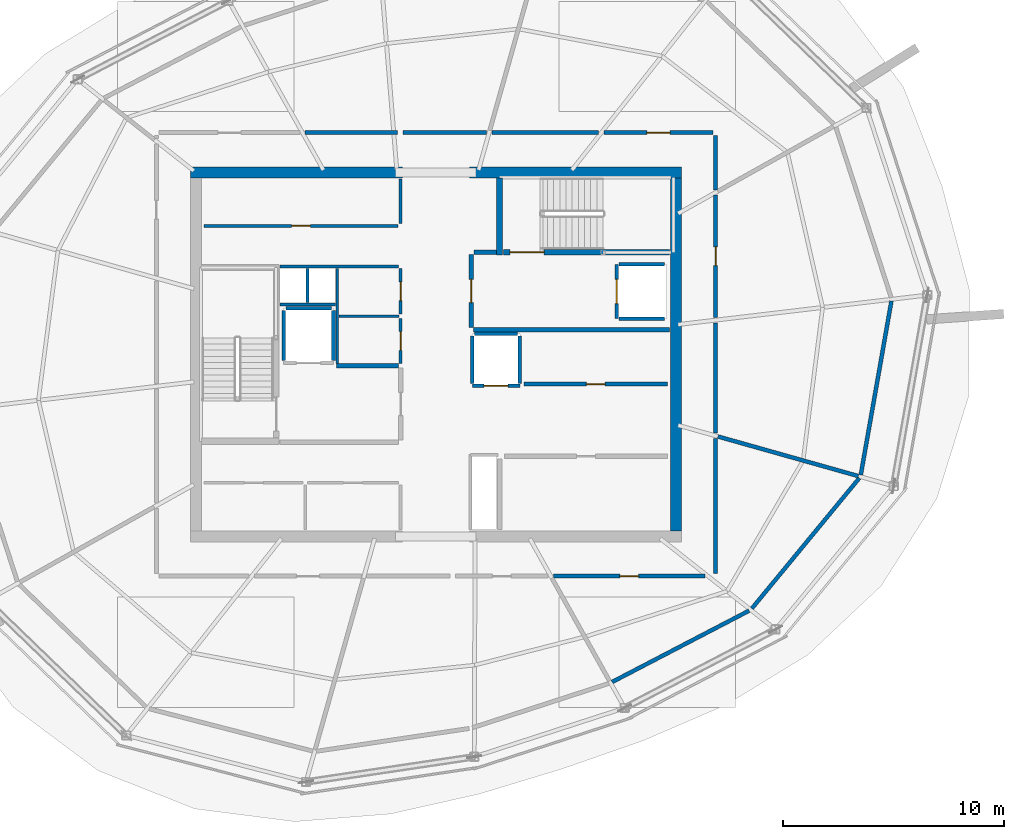
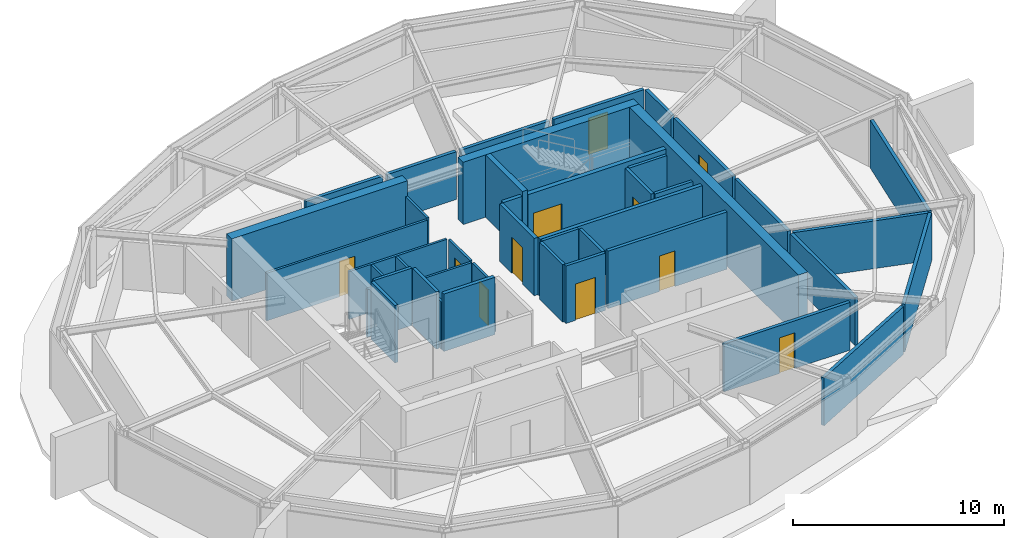
# One storey, part 8 of 10: 42 walls, 11 doors, 11 openings.
"""IFC4 building model written with IfcOpenShell, lengths in metres."""

from ifc_helpers import new_model, si_unit, direction, frame, frame_2d, origin, place, context, subcontext, project, spatial, rectangle, extrude, material, layer, layer_set, type_object, element, fill, save


model = new_model("IFC4")

# Units and contexts
model_context = context("Model", 3, precision=1e-05, world=origin(), true_north=direction((0.0, 1.0)))
body_context = subcontext(model_context, "Body", "Model", "MODEL_VIEW")
ifc_project = project(units=[si_unit("LENGTHUNIT", "METRE"), si_unit("AREAUNIT", "SQUARE_METRE"), si_unit("VOLUMEUNIT", "CUBIC_METRE"), si_unit("PLANEANGLEUNIT", "RADIAN"), si_unit("MASSUNIT", "GRAM", prefix="KILO")], contexts=[model_context])

# Site, building, storey
site_placement = place(None, origin())
site = spatial("IfcSite", under=ifc_project, at=site_placement, CompositionType="ELEMENT")
building_placement = place(site_placement, origin())
building = spatial("IfcBuilding", under=site, at=building_placement, Name="Kazma Halo Residences", CompositionType="ELEMENT")
storey_placement = place(building_placement, frame((0.0, 0.0, 356.0)))
storey = spatial("IfcBuildingStorey", under=building, at=storey_placement, Name="L89", CompositionType="ELEMENT", Elevation=356.0)

# Walls
ifc_material_1 = material(Name="Concrete C60/75", Category="concrete")
ifc_layer_1 = layer(ifc_material_1, 0.5)
ifc_layer_set_1 = layer_set([ifc_layer_1], Name="Concrete C60/75")
wall_type_1 = type_object("IfcWallType", Name="WL-CORE-500", PredefinedType="SHEAR", material=ifc_layer_set_1)
wall_1_placement = place(storey_placement, frame((37.300048828125, 50.25, 0.0), z_axis=(0.0, 0.0, 1.0), x_axis=(1.0, 0.0, 0.0)))
element("IfcWall", 1, at=wall_1_placement, inside=storey, type_object=wall_type_1, Name="L89 central core shear wall NW", PredefinedType="SHEAR", context=body_context, shape_type="SweptSolid", body=[
    extrude(rectangle(XDim=9.599853515625, YDim=0.5, at=frame_2d((4.7998046875, 0.0))), origin(), (0.0, 0.0, 1.0), 3.60009765625),
])
wall_2_placement = place(storey_placement, frame((49.949951171875, 50.25, 0.0), z_axis=(0.0, 0.0, 1.0), x_axis=(1.0, 0.0, 0.0)))
element("IfcWall", 2, at=wall_2_placement, inside=storey, type_object=wall_type_1, Name="L89 central core shear wall NE", PredefinedType="SHEAR", context=body_context, shape_type="SweptSolid", body=[
    extrude(rectangle(XDim=9.60009765625, YDim=0.5, at=frame_2d((4.800048828125, 0.0))), origin(), (0.0, 0.0, 1.0), 3.60009765625),
])
wall_3_placement = place(storey_placement, frame((59.300048828125, 34.0, 0.0), z_axis=(0.0, 0.0, 1.0), x_axis=(0.0, 1.0, 0.0)))
element("IfcWall", 3, at=wall_3_placement, inside=storey, type_object=wall_type_1, Name="L89 central core shear wall E", PredefinedType="SHEAR", context=body_context, shape_type="SweptSolid", body=[
    extrude(rectangle(XDim=16.0, YDim=0.5, at=frame_2d((8.0, 0.0))), origin(), (0.0, 0.0, 1.0), 3.60009765625),
])
ifc_layer_2 = layer(ifc_material_1, 0.280029296875)
ifc_layer_set_2 = layer_set([ifc_layer_2], Name="Concrete C60/75")
wall_type_2 = type_object("IfcWallType", Name="WL-CORE-ST-280", PredefinedType="SHEAR", material=ifc_layer_set_2)
wall_4_placement = place(storey_placement, frame((51.31005859375, 46.5, 0.0), z_axis=(0.0, 0.0, 1.0), x_axis=(0.0, 1.0, 0.0)))
element("IfcWall", 4, at=wall_4_placement, inside=storey, type_object=wall_type_2, Name="L89 stairwell bearing wall ST02-W", PredefinedType="SHEAR", context=body_context, shape_type="SweptSolid", body=[
    extrude(rectangle(XDim=3.5, YDim=0.280029296875, at=frame_2d((1.75, 0.0))), origin(), (0.0, 0.0, 1.0), 3.60009765625),
])
ifc_material_2 = material(Name="Acoustic Twin-Stud Gypsum")
ifc_layer_3 = layer(ifc_material_2, 0.179931640625)
ifc_layer_set_3 = layer_set([ifc_layer_3], Name="Acoustic Twin-Stud Gypsum")
wall_type_3 = type_object("IfcWallType", Name="WL-DEM-180", PredefinedType="PARTITIONING", material=ifc_layer_set_3)
wall_5_placement = place(storey_placement, frame((56.409912109375, 27.14697265625, 0.0), z_axis=(0.0, 0.0, 1.0), x_axis=(0.886949494865, 0.461866423935, 0.0)))
element("IfcWall", 5, at=wall_5_placement, inside=storey, type_object=wall_type_3, Name="L89 crown plant perimeter wall 12", PredefinedType="PARTITIONING", context=body_context, shape_type="SweptSolid", body=[
    extrude(rectangle(XDim=7.002197265625, YDim=0.179931640625, at=frame_2d((3.5009765625, 0.0))), origin(), (0.0, 0.0, 1.0), 2.760009765625),
])
wall_6_placement = place(storey_placement, frame((62.742431640625, 30.479736328125, 0.0), z_axis=(0.0, 0.0, 1.0), x_axis=(0.636018833443, 0.771673534278, 0.0)))
element("IfcWall", 6, at=wall_6_placement, inside=storey, type_object=wall_type_3, Name="L89 crown plant perimeter wall 13", PredefinedType="PARTITIONING", context=body_context, shape_type="SweptSolid", body=[
    extrude(rectangle(XDim=7.661376953125, YDim=0.179931640625, at=frame_2d((3.83056640625, 0.0))), origin(), (0.0, 0.0, 1.0), 2.760009765625),
])
wall_7_placement = place(storey_placement, frame((67.679931640625, 36.532470703125, 0.0), z_axis=(0.0, 0.0, 1.0), x_axis=(0.173668776466, 0.984804120666, 0.0)))
element("IfcWall", 7, at=wall_7_placement, inside=storey, type_object=wall_type_3, Name="L89 crown plant perimeter wall 14", PredefinedType="PARTITIONING", context=body_context, shape_type="SweptSolid", body=[
    extrude(rectangle(XDim=8.005859375, YDim=0.179931640625, at=frame_2d((4.0029296875, 0.0))), origin(), (0.0, 0.0, 1.0), 2.760009765625),
])
wall_8_placement = place(storey_placement, frame((61.10009765625, 49.456298828125, 0.0), z_axis=(0.0, 0.0, 1.0), x_axis=(0.0, 1.0, 0.0)))
element("IfcWall", 8, at=wall_8_placement, inside=storey, type_object=wall_type_3, Name="L89 L89 Cooling Tower Plant Room North corridor wall", PredefinedType="PARTITIONING", context=body_context, shape_type="SweptSolid", body=[
    extrude(rectangle(XDim=2.4736328125, YDim=0.179931640625, at=frame_2d((1.23681640625, 0.0))), origin(), (0.0, 0.0, 1.0), 2.760009765625),
])

# Wall, opening, door
wall_9_placement = place(storey_placement, frame((60.97998046875, 52.050048828125, 0.0), z_axis=(0.0, 0.0, 1.0), x_axis=(-1.0, 0.0, 0.0)))
wall_9 = element("IfcWall", 9, at=wall_9_placement, inside=storey, type_object=wall_type_3, Name="L89 L89 Cooling Tower Plant Room North corridor wall", PredefinedType="PARTITIONING", context=body_context, shape_type="SweptSolid", body=[
    extrude(rectangle(XDim=4.937255859375, YDim=0.179931640625, at=frame_2d((2.46875, 0.0))), origin(), (0.0, 0.0, 1.0), 2.760009765625),
])
opening_1_placement = place(wall_9_placement, frame((1.943603515625, 0.0, 0.0)))
opening_1 = element("IfcOpeningElement", 10, at=opening_1_placement, cuts=wall_9, Name="Opening DF-1050", PredefinedType="OPENING", context=body_context, shape_type="SweptSolid", body=[
    extrude(rectangle(XDim=1.050048828125, YDim=2.10009765625, at=frame_2d((0.52490234375, 1.050048828125))), frame((0.0, 0.099853515625, 0.0), z_axis=(0.0, -1.0, 0.0), x_axis=(1.0, 0.0, 0.0)), (0.0, 0.0, 1.0), 0.199951171875),
])
ifc_material_3 = material(Name="Fire-Rated Steel Leaf", Category="steel")
door_type_1 = type_object("IfcDoorType", Name="DR-FD90-1050", OperationType="NOTDEFINED", PredefinedType="DOOR", material=ifc_material_3)
door_1_placement = place(opening_1_placement, origin())
door_1 = element("IfcDoor", 11, at=door_1_placement, inside=storey, type_object=door_type_1, Name="L89 L89 Cooling Tower Plant Room North door", OperationType="SINGLE_SWING_LEFT", OverallHeight=2.10009765625, OverallWidth=1.050048828125, PredefinedType="DOOR", context=body_context, shape_type="SweptSolid", body=[
    extrude(rectangle(XDim=1.050048828125, YDim=2.10009765625, at=frame_2d((0.52490234375, 1.050048828125))), frame((0.0, 0.02490234375, 0.0), z_axis=(0.0, -1.0, 0.0), x_axis=(1.0, 0.0, 0.0)), (0.0, 0.0, 1.0), 0.050048828125),
])
fill(opening_1, door_1)

# Walls
wall_10_placement = place(storey_placement, frame((55.802734375, 52.050048828125, 0.0), z_axis=(0.0, 0.0, 1.0), x_axis=(-1.0, 0.0, 0.0)))
element("IfcWall", 12, at=wall_10_placement, inside=storey, type_object=wall_type_3, Name="L89 L89 Cooling Tower Plant Room North corridor wall", PredefinedType="PARTITIONING", context=body_context, shape_type="SweptSolid", body=[
    extrude(rectangle(XDim=4.848388671875, YDim=0.179931640625, at=frame_2d((2.42431640625, 0.0))), origin(), (0.0, 0.0, 1.0), 2.760009765625),
])
wall_11_placement = place(storey_placement, frame((50.71435546875, 52.050048828125, 0.0), z_axis=(0.0, 0.0, 1.0), x_axis=(-1.0, 0.0, 0.0)))
element("IfcWall", 13, at=wall_11_placement, inside=storey, type_object=wall_type_3, Name="L89 L89 Chilled-Water Pump Plant Room corridor wall", PredefinedType="PARTITIONING", context=body_context, shape_type="SweptSolid", body=[
    extrude(rectangle(XDim=3.783935546875, YDim=0.179931640625, at=frame_2d((1.89208984375, 0.0))), origin(), (0.0, 0.0, 1.0), 2.760009765625),
])
wall_12_placement = place(storey_placement, frame((46.6904296875, 52.050048828125, 0.0), z_axis=(0.0, 0.0, 1.0), x_axis=(-1.0, 0.0, 0.0)))
element("IfcWall", 14, at=wall_12_placement, inside=storey, type_object=wall_type_3, Name="L89 L89 Chilled-Water Pump Plant Room corridor wall", PredefinedType="PARTITIONING", context=body_context, shape_type="SweptSolid", body=[
    extrude(rectangle(XDim=4.19873046875, YDim=0.179931640625, at=frame_2d((2.099365234375, 0.0))), origin(), (0.0, 0.0, 1.0), 2.760009765625),
])

# Wall, opening, door
wall_13_placement = place(storey_placement, frame((53.748291015625, 31.949951171875, 0.0), z_axis=(0.0, 0.0, 1.0), x_axis=(1.0, 0.0, 0.0)))
wall_13 = element("IfcWall", 15, at=wall_13_placement, inside=storey, type_object=wall_type_3, Name="L89 L89 Transformer Switchgear Plant Room corridor wall", PredefinedType="PARTITIONING", context=body_context, shape_type="SweptSolid", body=[
    extrude(rectangle(XDim=6.880126953125, YDim=0.179931640625, at=frame_2d((3.43994140625, 0.0))), origin(), (0.0, 0.0, 1.0), 2.760009765625),
])
opening_2_placement = place(wall_13_placement, frame((3.014892578125, 0.0, 0.0)))
opening_2 = element("IfcOpeningElement", 16, at=opening_2_placement, cuts=wall_13, Name="Opening DS-850", PredefinedType="OPENING", context=body_context, shape_type="SweptSolid", body=[
    extrude(rectangle(XDim=0.85009765625, YDim=2.06005859375, at=frame_2d((0.425048828125, 1.030029296875))), frame((0.0, 0.099853515625, 0.0), z_axis=(0.0, -1.0, 0.0), x_axis=(1.0, 0.0, 0.0)), (0.0, 0.0, 1.0), 0.199951171875),
])
ifc_material_4 = material(Name="Painted Steel Access Leaf", Category="steel")
door_type_2 = type_object("IfcDoorType", Name="DR-SVC-850", OperationType="NOTDEFINED", PredefinedType="DOOR", material=ifc_material_4)
door_2_placement = place(opening_2_placement, origin())
door_2 = element("IfcDoor", 17, at=door_2_placement, inside=storey, type_object=door_type_2, Name="L89 L89 Transformer Switchgear Plant Room door", OperationType="SINGLE_SWING_RIGHT", OverallHeight=2.06005859375, OverallWidth=0.85009765625, PredefinedType="DOOR", context=body_context, shape_type="SweptSolid", body=[
    extrude(rectangle(XDim=0.85009765625, YDim=2.06005859375, at=frame_2d((0.425048828125, 1.030029296875))), frame((0.0, 0.02490234375, 0.0), z_axis=(0.0, -1.0, 0.0), x_axis=(1.0, 0.0, 0.0)), (0.0, 0.0, 1.0), 0.050048828125),
])
fill(opening_2, door_2)

# Walls
wall_14_placement = place(storey_placement, frame((61.10009765625, 32.070068359375, 0.0), z_axis=(0.0, 0.0, 1.0), x_axis=(0.0, 1.0, 0.0)))
element("IfcWall", 18, at=wall_14_placement, inside=storey, type_object=wall_type_3, Name="L89 L89 Transformer Switchgear Plant Room corridor wall", PredefinedType="PARTITIONING", context=body_context, shape_type="SweptSolid", body=[
    extrude(rectangle(XDim=6.115234375, YDim=0.179931640625, at=frame_2d((3.0576171875, 0.0))), origin(), (0.0, 0.0, 1.0), 2.760009765625),
])
wall_15_placement = place(storey_placement, frame((61.205810546875, 38.275390625, 0.0), z_axis=(0.0, 0.0, 1.0), x_axis=(0.962461547865, -0.271418070294, 0.0)))
element("IfcWall", 19, at=wall_15_placement, inside=storey, type_object=wall_type_3, Name="L89 radial partition wall 14", PredefinedType="PARTITIONING", context=body_context, shape_type="SweptSolid", body=[
    extrude(rectangle(XDim=6.6123046875, YDim=0.179931640625, at=frame_2d((3.30615234375, 0.0))), origin(), (0.0, 0.0, 1.0), 2.760009765625),
])
wall_16_placement = place(storey_placement, frame((61.10009765625, 38.42529296875, 0.0), z_axis=(0.0, 0.0, 1.0), x_axis=(0.0, 1.0, 0.0)))
element("IfcWall", 20, at=wall_16_placement, inside=storey, type_object=wall_type_3, Name="L89 L89 Telemetry Mechanical Plant Room corridor wall", PredefinedType="PARTITIONING", context=body_context, shape_type="SweptSolid", body=[
    extrude(rectangle(XDim=5.005126953125, YDim=0.179931640625, at=frame_2d((2.50244140625, 0.0))), origin(), (0.0, 0.0, 1.0), 2.760009765625),
])

# Wall, opening, door
wall_17_placement = place(storey_placement, frame((61.10009765625, 43.67041015625, 0.0), z_axis=(0.0, 0.0, 1.0), x_axis=(0.0, 1.0, 0.0)))
wall_17 = element("IfcWall", 21, at=wall_17_placement, inside=storey, type_object=wall_type_3, Name="L89 L89 Telemetry Mechanical Plant Room corridor wall", PredefinedType="PARTITIONING", context=body_context, shape_type="SweptSolid", body=[
    extrude(rectangle(XDim=5.5458984375, YDim=0.179931640625, at=frame_2d((2.77294921875, 0.0))), origin(), (0.0, 0.0, 1.0), 2.760009765625),
])
opening_3_placement = place(wall_17_placement, frame((2.347900390625, 0.0, 0.0)))
opening_3 = element("IfcOpeningElement", 22, at=opening_3_placement, cuts=wall_17, Name="Opening DS-850", PredefinedType="OPENING", context=body_context, shape_type="SweptSolid", body=[
    extrude(rectangle(XDim=0.85009765625, YDim=2.06005859375, at=frame_2d((0.425048828125, 1.030029296875))), frame((0.0, 0.099853515625, 0.0), z_axis=(0.0, -1.0, 0.0), x_axis=(1.0, 0.0, 0.0)), (0.0, 0.0, 1.0), 0.199951171875),
])
door_3_placement = place(opening_3_placement, origin())
door_3 = element("IfcDoor", 23, at=door_3_placement, inside=storey, type_object=door_type_2, Name="L89 L89 Telemetry Mechanical Plant Room door", OperationType="SINGLE_SWING_LEFT", OverallHeight=2.06005859375, OverallWidth=0.85009765625, PredefinedType="DOOR", context=body_context, shape_type="SweptSolid", body=[
    extrude(rectangle(XDim=0.85009765625, YDim=2.06005859375, at=frame_2d((0.425048828125, 1.030029296875))), frame((0.0, 0.02490234375, 0.0), z_axis=(0.0, -1.0, 0.0), x_axis=(1.0, 0.0, 0.0)), (0.0, 0.0, 1.0), 0.050048828125),
])
fill(opening_3, door_3)

# Walls
ifc_material_5 = material(Name="Fire-Rated Blockwork Masonry", Category="masonry")
ifc_layer_4 = layer(ifc_material_5, 0.199951171875)
ifc_layer_set_4 = layer_set([ifc_layer_4], Name="Fire-Rated Blockwork Masonry")
wall_type_4 = type_object("IfcWallType", Name="WL-FLB-200", PredefinedType="PARTITIONING", material=ifc_layer_set_4)
for number, where, z_axis, x_axis, name in (
    (24, (43.780029296875, 41.719970703125, 0.0), (0.0, 0.0, 1.0), (0.0, 1.0, 0.0), "L89 lift shaft FL-01 side wall E"),
    (25, (41.52001953125, 41.719970703125, 0.0), (0.0, 0.0, 1.0), (0.0, 1.0, 0.0), "L89 lift shaft FL-01 side wall W"),
):
    element("IfcWall", number, at=place(storey_placement, frame(where, z_axis=z_axis, x_axis=x_axis)), inside=storey, type_object=wall_type_4, Name=name, PredefinedType="PARTITIONING", context=body_context, shape_type="SweptSolid", body=[
        extrude(rectangle(XDim=2.260009765625, YDim=0.159912109375, at=frame_2d((1.1298828125, 0.0))), origin(), (0.0, 0.0, 1.0), 3.320068359375),
    ])
wall_18_placement = place(storey_placement, frame((41.6201171875, 44.080078125, 0.0), z_axis=(0.0, 0.0, 1.0), x_axis=(1.0, 0.0, 0.0)))
element("IfcWall", 26, at=wall_18_placement, inside=storey, type_object=wall_type_4, Name="L89 lift shaft FL-01 side wall N", PredefinedType="PARTITIONING", context=body_context, shape_type="SweptSolid", body=[
    extrude(rectangle(XDim=2.059814453125, YDim=0.159912109375, at=frame_2d((1.02978515625, 0.0))), origin(), (0.0, 0.0, 1.0), 3.320068359375),
])

# Wall, opening, door
wall_19_placement = place(storey_placement, frame((56.6201171875, 46.080078125, 0.0), z_axis=(0.0, 0.0, 1.0), x_axis=(0.0, -1.0, 0.0)))
wall_19 = element("IfcWall", 27, at=wall_19_placement, inside=storey, type_object=wall_type_4, Name="L89 lift shaft FL-02 front wall", PredefinedType="PARTITIONING", context=body_context, shape_type="SweptSolid", body=[
    extrude(rectangle(XDim=2.4599609375, YDim=0.159912109375, at=frame_2d((1.22998046875, 0.0))), origin(), (0.0, 0.0, 1.0), 3.320068359375),
])
opening_4_placement = place(wall_19_placement, frame((0.679931640625, 0.0, 0.0)))
opening_4 = element("IfcOpeningElement", 28, at=opening_4_placement, cuts=wall_19, Name="Opening LD-FL-02", PredefinedType="OPENING", context=body_context, shape_type="SweptSolid", body=[
    extrude(rectangle(XDim=1.10009765625, YDim=2.10009765625, at=frame_2d((0.550048828125, 1.050048828125))), frame((0.0, 0.08984375, 0.0), z_axis=(0.0, -1.0, 0.0), x_axis=(1.0, 0.0, 0.0)), (0.0, 0.0, 1.0), 0.179931640625),
])
ifc_material_6 = material(Name="Stainless Steel Fire-Rated", Category="steel")
door_type_3 = type_object("IfcDoorType", Name="DR-LIFT-SLD-1100", OperationType="DOUBLE_DOOR_SLIDING", PredefinedType="DOOR", material=ifc_material_6)
door_4_placement = place(opening_4_placement, origin())
door_4 = element("IfcDoor", 29, at=door_4_placement, inside=storey, type_object=door_type_3, Name="L89 lift FL-02 sliding landing door", OperationType="DOUBLE_DOOR_SLIDING", OverallHeight=2.10009765625, OverallWidth=1.10009765625, PredefinedType="DOOR", context=body_context, shape_type="SweptSolid", body=[
    extrude(rectangle(XDim=1.10009765625, YDim=2.10009765625, at=frame_2d((0.550048828125, 1.050048828125))), frame((0.0, 0.02490234375, 0.0), z_axis=(0.0, -1.0, 0.0), x_axis=(1.0, 0.0, 0.0)), (0.0, 0.0, 1.0), 0.050048828125),
])
fill(opening_4, door_4)

# Walls
for number, where, z_axis, x_axis, name in (
    (30, (56.719970703125, 46.080078125, 0.0), (0.0, 0.0, 1.0), (1.0, 0.0, 0.0), "L89 lift shaft FL-02 side wall N"),
    (31, (56.719970703125, 43.6201171875, 0.0), (0.0, 0.0, 1.0), (1.0, 0.0, 0.0), "L89 lift shaft FL-02 side wall S"),
):
    element("IfcWall", number, at=place(storey_placement, frame(where, z_axis=z_axis, x_axis=x_axis)), inside=storey, type_object=wall_type_4, Name=name, PredefinedType="PARTITIONING", context=body_context, shape_type="SweptSolid", body=[
        extrude(rectangle(XDim=2.06005859375, YDim=0.159912109375, at=frame_2d((1.030029296875, 0.0))), origin(), (0.0, 0.0, 1.0), 3.320068359375),
    ])

# Wall, opening, door
wall_20_placement = place(storey_placement, frame((52.22998046875, 40.570068359375, 0.0), z_axis=(0.0, 0.0, 1.0), x_axis=(-1.0, 0.0, 0.0)))
wall_20 = element("IfcWall", 32, at=wall_20_placement, inside=storey, type_object=wall_type_4, Name="L89 lift shaft SV-01 front wall", PredefinedType="PARTITIONING", context=body_context, shape_type="SweptSolid", body=[
    extrude(rectangle(XDim=2.159912109375, YDim=0.159912109375, at=frame_2d((1.080078125, 0.0))), origin(), (0.0, 0.0, 1.0), 3.320068359375),
])
opening_5_placement = place(wall_20_placement, frame((0.530029296875, 0.0, 0.0)))
opening_5 = element("IfcOpeningElement", 33, at=opening_5_placement, cuts=wall_20, Name="Opening LD-SV-01", PredefinedType="OPENING", context=body_context, shape_type="SweptSolid", body=[
    extrude(rectangle(XDim=1.10009765625, YDim=2.10009765625, at=frame_2d((0.550048828125, 1.050048828125))), frame((0.0, 0.08984375, 0.0), z_axis=(0.0, -1.0, 0.0), x_axis=(1.0, 0.0, 0.0)), (0.0, 0.0, 1.0), 0.179931640625),
])
door_5_placement = place(opening_5_placement, origin())
door_5 = element("IfcDoor", 34, at=door_5_placement, inside=storey, type_object=door_type_3, Name="L89 lift SV-01 sliding landing door", OperationType="DOUBLE_DOOR_SLIDING", OverallHeight=2.10009765625, OverallWidth=1.10009765625, PredefinedType="DOOR", context=body_context, shape_type="SweptSolid", body=[
    extrude(rectangle(XDim=1.10009765625, YDim=2.10009765625, at=frame_2d((0.550048828125, 1.050048828125))), frame((0.0, 0.02490234375, 0.0), z_axis=(0.0, -1.0, 0.0), x_axis=(1.0, 0.0, 0.0)), (0.0, 0.0, 1.0), 0.050048828125),
])
fill(opening_5, door_5)

# Walls
for number, where, z_axis, x_axis, name in (
    (35, (52.22998046875, 40.669921875, 0.0), (0.0, 0.0, 1.0), (0.0, 1.0, 0.0), "L89 lift shaft SV-01 side wall E"),
    (36, (50.070068359375, 40.669921875, 0.0), (0.0, 0.0, 1.0), (0.0, 1.0, 0.0), "L89 lift shaft SV-01 side wall W"),
):
    element("IfcWall", number, at=place(storey_placement, frame(where, z_axis=z_axis, x_axis=x_axis)), inside=storey, type_object=wall_type_4, Name=name, PredefinedType="PARTITIONING", context=body_context, shape_type="SweptSolid", body=[
        extrude(rectangle(XDim=2.16015625, YDim=0.159912109375, at=frame_2d((1.080078125, 0.0))), origin(), (0.0, 0.0, 1.0), 3.320068359375),
    ])
wall_21_placement = place(storey_placement, frame((50.169921875, 42.929931640625, 0.0), z_axis=(0.0, 0.0, 1.0), x_axis=(1.0, 0.0, 0.0)))
element("IfcWall", 37, at=wall_21_placement, inside=storey, type_object=wall_type_4, Name="L89 lift shaft SV-01 side wall N", PredefinedType="PARTITIONING", context=body_context, shape_type="SweptSolid", body=[
    extrude(rectangle(XDim=1.9599609375, YDim=0.159912109375, at=frame_2d((0.97998046875, 0.0))), origin(), (0.0, 0.0, 1.0), 3.320068359375),
])

# Wall, opening, door
wall_22_placement = place(storey_placement, frame((52.419921875, 40.64990234375, 0.0), z_axis=(0.0, 0.0, 1.0), x_axis=(1.0, 0.0, 0.0)))
wall_22 = element("IfcWall", 38, at=wall_22_placement, inside=storey, type_object=wall_type_4, Name="L89 core east reserve wall", PredefinedType="PARTITIONING", context=body_context, shape_type="SweptSolid", body=[
    extrude(rectangle(XDim=6.5, YDim=0.179931640625, at=frame_2d((3.25, 0.0))), origin(), (0.0, 0.0, 1.0), 3.320068359375),
])
opening_6_placement = place(wall_22_placement, frame((2.824951171875, 0.0, 0.0)))
opening_6 = element("IfcOpeningElement", 39, at=opening_6_placement, cuts=wall_22, Name="Opening DS-850", PredefinedType="OPENING", context=body_context, shape_type="SweptSolid", body=[
    extrude(rectangle(XDim=0.85009765625, YDim=2.06005859375, at=frame_2d((0.425048828125, 1.030029296875))), frame((0.0, 0.099853515625, 0.0), z_axis=(0.0, -1.0, 0.0), x_axis=(1.0, 0.0, 0.0)), (0.0, 0.0, 1.0), 0.199951171875),
])
door_6_placement = place(opening_6_placement, origin())
door_6 = element("IfcDoor", 40, at=door_6_placement, inside=storey, type_object=door_type_2, Name="L89 core east reserve door", OperationType="SINGLE_SWING_RIGHT", OverallHeight=2.06005859375, OverallWidth=0.85009765625, PredefinedType="DOOR", context=body_context, shape_type="SweptSolid", body=[
    extrude(rectangle(XDim=0.85009765625, YDim=2.06005859375, at=frame_2d((0.425048828125, 1.030029296875))), frame((0.0, 0.02490234375, 0.0), z_axis=(0.0, -1.0, 0.0), x_axis=(1.0, 0.0, 0.0)), (0.0, 0.0, 1.0), 0.050048828125),
])
fill(opening_6, door_6)

# Walls
wall_23_placement = place(storey_placement, frame((43.919921875, 41.47998046875, 0.0), z_axis=(0.0, 0.0, 1.0), x_axis=(1.0, 0.0, 0.0)))
element("IfcWall", 41, at=wall_23_placement, inside=storey, type_object=wall_type_4, Name="L89 west firefighting lobby north smoke wall", PredefinedType="PARTITIONING", context=body_context, shape_type="SweptSolid", body=[
    extrude(rectangle(XDim=2.800048828125, YDim=0.199951171875, at=frame_2d((1.39990234375, 0.0))), origin(), (0.0, 0.0, 1.0), 3.320068359375),
])
wall_24_placement = place(storey_placement, frame((50.1201171875, 43.1201171875, 0.0), z_axis=(0.0, 0.0, 1.0), x_axis=(1.0, 0.0, 0.0)))
element("IfcWall", 42, at=wall_24_placement, inside=storey, type_object=wall_type_4, Name="L89 east firefighting lobby south smoke wall", PredefinedType="PARTITIONING", context=body_context, shape_type="SweptSolid", body=[
    extrude(rectangle(XDim=8.8798828125, YDim=0.199951171875, at=frame_2d((4.43994140625, 0.0))), origin(), (0.0, 0.0, 1.0), 3.320068359375),
])
wall_25_placement = place(storey_placement, frame((50.139892578125, 46.6201171875, 0.0), z_axis=(0.0, 0.0, 1.0), x_axis=(1.0, 0.0, 0.0)))
element("IfcWall", 43, at=wall_25_placement, inside=storey, type_object=wall_type_4, Name="L89 east firefighting lobby north closure wall", PredefinedType="PARTITIONING", context=body_context, shape_type="SweptSolid", body=[
    extrude(rectangle(XDim=1.02001953125, YDim=0.199951171875, at=frame_2d((0.510009765625, 0.0))), origin(), (0.0, 0.0, 1.0), 3.320068359375),
])

# Wall, opening, door
wall_26_placement = place(storey_placement, frame((50.02001953125, 43.219970703125, 0.0), z_axis=(0.0, 0.0, 1.0), x_axis=(0.0, 1.0, 0.0)))
wall_26 = element("IfcWall", 44, at=wall_26_placement, inside=storey, type_object=wall_type_4, Name="L89 east firefighting lobby smoke wall", PredefinedType="PARTITIONING", context=body_context, shape_type="SweptSolid", body=[
    extrude(rectangle(XDim=3.300048828125, YDim=0.199951171875, at=frame_2d((1.64990234375, 0.0))), origin(), (0.0, 0.0, 1.0), 3.320068359375),
])
opening_7_placement = place(wall_26_placement, frame((1.125, 0.0, 0.0)))
opening_7 = element("IfcOpeningElement", 45, at=opening_7_placement, cuts=wall_26, Name="Opening D-FLE", PredefinedType="OPENING", context=body_context, shape_type="SweptSolid", body=[
    extrude(rectangle(XDim=1.050048828125, YDim=2.10009765625, at=frame_2d((0.52490234375, 1.050048828125))), frame((0.0, 0.10986328125, 0.0), z_axis=(0.0, -1.0, 0.0), x_axis=(1.0, 0.0, 0.0)), (0.0, 0.0, 1.0), 0.219970703125),
])
door_7_placement = place(opening_7_placement, origin())
door_7 = element("IfcDoor", 46, at=door_7_placement, inside=storey, type_object=door_type_1, Name="L89 east firefighting lobby smoke door", OperationType="SINGLE_SWING_LEFT", OverallHeight=2.10009765625, OverallWidth=1.050048828125, PredefinedType="DOOR", context=body_context, shape_type="SweptSolid", body=[
    extrude(rectangle(XDim=1.050048828125, YDim=2.10009765625, at=frame_2d((0.52490234375, 1.050048828125))), frame((0.0, 0.02490234375, 0.0), z_axis=(0.0, -1.0, 0.0), x_axis=(1.0, 0.0, 0.0)), (0.0, 0.0, 1.0), 0.050048828125),
])
fill(opening_7, door_7)

# Wall
ifc_material_7 = material(Name="Gypsum Plasterboard Partition")
ifc_layer_5 = layer(ifc_material_7, 0.125)
ifc_layer_set_5 = layer_set([ifc_layer_5], Name="Gypsum Plasterboard Partition")
wall_type_5 = type_object("IfcWallType", Name="WL-PART-125", PredefinedType="PARTITIONING", material=ifc_layer_set_5)
wall_27_placement = place(storey_placement, frame((46.820068359375, 47.919921875, 0.0), z_axis=(0.0, 0.0, 1.0), x_axis=(0.0, 1.0, 0.0)))
element("IfcWall", 47, at=wall_27_placement, inside=storey, type_object=wall_type_5, Name="L89 reclaimed north east wall", PredefinedType="PARTITIONING", context=body_context, shape_type="SweptSolid", body=[
    extrude(rectangle(XDim=2.030029296875, YDim=0.125, at=frame_2d((1.01513671875, 0.0))), origin(), (0.0, 0.0, 1.0), 2.760009765625),
])

# Wall, opening, door
wall_28_placement = place(storey_placement, frame((37.919921875, 47.820068359375, 0.0), z_axis=(0.0, 0.0, 1.0), x_axis=(1.0, 0.0, 0.0)))
wall_28 = element("IfcWall", 48, at=wall_28_placement, inside=storey, type_object=wall_type_5, Name="L89 reclaimed north front wall", PredefinedType="PARTITIONING", context=body_context, shape_type="SweptSolid", body=[
    extrude(rectangle(XDim=8.780029296875, YDim=0.125, at=frame_2d((4.39013671875, 0.0))), origin(), (0.0, 0.0, 1.0), 2.760009765625),
])
opening_8_placement = place(wall_28_placement, frame((3.965087890625, 0.0, 0.0)))
opening_8 = element("IfcOpeningElement", 49, at=opening_8_placement, cuts=wall_28, Name="Opening DS-850", PredefinedType="OPENING", context=body_context, shape_type="SweptSolid", body=[
    extrude(rectangle(XDim=0.85009765625, YDim=2.06005859375, at=frame_2d((0.425048828125, 1.030029296875))), frame((0.0, 0.072509765625, 0.0), z_axis=(0.0, -1.0, 0.0), x_axis=(1.0, 0.0, 0.0)), (0.0, 0.0, 1.0), 0.14501953125),
])
door_8_placement = place(opening_8_placement, origin())
door_8 = element("IfcDoor", 50, at=door_8_placement, inside=storey, type_object=door_type_2, Name="L89 reclaimed north service door", OperationType="SINGLE_SWING_RIGHT", OverallHeight=2.06005859375, OverallWidth=0.85009765625, PredefinedType="DOOR", context=body_context, shape_type="SweptSolid", body=[
    extrude(rectangle(XDim=0.85009765625, YDim=2.06005859375, at=frame_2d((0.425048828125, 1.030029296875))), frame((0.0, 0.02490234375, 0.0), z_axis=(0.0, -1.0, 0.0), x_axis=(1.0, 0.0, 0.0)), (0.0, 0.0, 1.0), 0.050048828125),
])
fill(opening_8, door_8)

# Walls
wall_29_placement = place(storey_placement, frame((41.360107421875, 45.97998046875, 0.0), z_axis=(0.0, 0.0, 1.0), x_axis=(1.0, 0.0, 0.0)))
element("IfcWall", 51, at=wall_29_placement, inside=storey, type_object=wall_type_5, Name="L89 core north riser wall", PredefinedType="PARTITIONING", context=body_context, shape_type="SweptSolid", body=[
    extrude(rectangle(XDim=5.35986328125, YDim=0.125, at=frame_2d((2.679931640625, 0.0))), origin(), (0.0, 0.0, 1.0), 2.760009765625),
])
wall_30_placement = place(storey_placement, frame((41.360107421875, 44.260009765625, 0.0), z_axis=(0.0, 0.0, 1.0), x_axis=(1.0, 0.0, 0.0)))
element("IfcWall", 52, at=wall_30_placement, inside=storey, type_object=wall_type_5, Name="L89 core riser south wall", PredefinedType="PARTITIONING", context=body_context, shape_type="SweptSolid", body=[
    extrude(rectangle(XDim=2.5, YDim=0.125, at=frame_2d((1.25, 0.0))), origin(), (0.0, 0.0, 1.0), 2.760009765625),
])
wall_31_placement = place(storey_placement, frame((42.60009765625, 44.35009765625, 0.0), z_axis=(0.0, 0.0, 1.0), x_axis=(0.0, 1.0, 0.0)))
element("IfcWall", 53, at=wall_31_placement, inside=storey, type_object=wall_type_5, Name="L89 core riser divider wall", PredefinedType="PARTITIONING", context=body_context, shape_type="SweptSolid", body=[
    extrude(rectangle(XDim=1.5498046875, YDim=0.125, at=frame_2d((0.77490234375, 0.0))), origin(), (0.0, 0.0, 1.0), 2.760009765625),
])
wall_32_placement = place(storey_placement, frame((43.949951171875, 41.580078125, 0.0), z_axis=(0.0, 0.0, 1.0), x_axis=(0.0, 1.0, 0.0)))
element("IfcWall", 54, at=wall_32_placement, inside=storey, type_object=wall_type_5, Name="L89 core service west wall", PredefinedType="PARTITIONING", context=body_context, shape_type="SweptSolid", body=[
    extrude(rectangle(XDim=4.31982421875, YDim=0.125, at=frame_2d((2.159912109375, 0.0))), origin(), (0.0, 0.0, 1.0), 2.760009765625),
])
wall_33_placement = place(storey_placement, frame((44.030029296875, 43.72998046875, 0.0), z_axis=(0.0, 0.0, 1.0), x_axis=(1.0, 0.0, 0.0)))
element("IfcWall", 55, at=wall_33_placement, inside=storey, type_object=wall_type_5, Name="L89 switch/IDF divider", PredefinedType="PARTITIONING", context=body_context, shape_type="SweptSolid", body=[
    extrude(rectangle(XDim=2.7099609375, YDim=0.125, at=frame_2d((1.35498046875, 0.0))), origin(), (0.0, 0.0, 1.0), 2.760009765625),
])

# Wall, opening, door
wall_34_placement = place(storey_placement, frame((46.820068359375, 41.580078125, 0.0), z_axis=(0.0, 0.0, 1.0), x_axis=(0.0, 1.0, 0.0)))
wall_34 = element("IfcWall", 56, at=wall_34_placement, inside=storey, type_object=wall_type_5, Name="L89 electrical switch room east wall", PredefinedType="PARTITIONING", context=body_context, shape_type="SweptSolid", body=[
    extrude(rectangle(XDim=2.0498046875, YDim=0.125, at=frame_2d((1.02490234375, 0.0))), origin(), (0.0, 0.0, 1.0), 2.760009765625),
])
opening_9_placement = place(wall_34_placement, frame((0.60009765625, 0.0, 0.0)))
opening_9 = element("IfcOpeningElement", 57, at=opening_9_placement, cuts=wall_34, Name="Opening DS-850", PredefinedType="OPENING", context=body_context, shape_type="SweptSolid", body=[
    extrude(rectangle(XDim=0.85009765625, YDim=2.06005859375, at=frame_2d((0.425048828125, 1.030029296875))), frame((0.0, 0.072509765625, 0.0), z_axis=(0.0, -1.0, 0.0), x_axis=(1.0, 0.0, 0.0)), (0.0, 0.0, 1.0), 0.14501953125),
])
door_9_placement = place(opening_9_placement, origin())
door_9 = element("IfcDoor", 58, at=door_9_placement, inside=storey, type_object=door_type_2, Name="L89 electrical switch room door", OperationType="SINGLE_SWING_RIGHT", OverallHeight=2.06005859375, OverallWidth=0.85009765625, PredefinedType="DOOR", context=body_context, shape_type="SweptSolid", body=[
    extrude(rectangle(XDim=0.85009765625, YDim=2.06005859375, at=frame_2d((0.425048828125, 1.030029296875))), frame((0.0, 0.02490234375, 0.0), z_axis=(0.0, -1.0, 0.0), x_axis=(1.0, 0.0, 0.0)), (0.0, 0.0, 1.0), 0.050048828125),
])
fill(opening_9, door_9)

wall_35_placement = place(storey_placement, frame((46.820068359375, 43.830078125, 0.0), z_axis=(0.0, 0.0, 1.0), x_axis=(0.0, 1.0, 0.0)))
wall_35 = element("IfcWall", 59, at=wall_35_placement, inside=storey, type_object=wall_type_5, Name="L89 telecom IDF room east wall", PredefinedType="PARTITIONING", context=body_context, shape_type="SweptSolid", body=[
    extrude(rectangle(XDim=2.0498046875, YDim=0.125, at=frame_2d((1.02490234375, 0.0))), origin(), (0.0, 0.0, 1.0), 2.760009765625),
])
opening_10_placement = place(wall_35_placement, frame((0.60009765625, 0.0, 0.0)))
opening_10 = element("IfcOpeningElement", 60, at=opening_10_placement, cuts=wall_35, Name="Opening DS-850", PredefinedType="OPENING", context=body_context, shape_type="SweptSolid", body=[
    extrude(rectangle(XDim=0.85009765625, YDim=2.06005859375, at=frame_2d((0.425048828125, 1.030029296875))), frame((0.0, 0.072509765625, 0.0), z_axis=(0.0, -1.0, 0.0), x_axis=(1.0, 0.0, 0.0)), (0.0, 0.0, 1.0), 0.14501953125),
])
door_10_placement = place(opening_10_placement, origin())
door_10 = element("IfcDoor", 61, at=door_10_placement, inside=storey, type_object=door_type_2, Name="L89 telecom IDF room door", OperationType="SINGLE_SWING_LEFT", OverallHeight=2.06005859375, OverallWidth=0.85009765625, PredefinedType="DOOR", context=body_context, shape_type="SweptSolid", body=[
    extrude(rectangle(XDim=0.85009765625, YDim=2.06005859375, at=frame_2d((0.425048828125, 1.030029296875))), frame((0.0, 0.02490234375, 0.0), z_axis=(0.0, -1.0, 0.0), x_axis=(1.0, 0.0, 0.0)), (0.0, 0.0, 1.0), 0.050048828125),
])
fill(opening_10, door_10)

ifc_material_8 = material(Name="Concrete C50/60", Category="concrete")
ifc_layer_6 = layer(ifc_material_8, 0.25)
ifc_layer_set_6 = layer_set([ifc_layer_6], Name="Concrete C50/60")
wall_type_6 = type_object("IfcWallType", Name="WL-SHF-250", PredefinedType="SOLIDWALL", material=ifc_layer_set_6)
wall_36_placement = place(storey_placement, frame((51.47998046875, 46.6201171875, 0.0), z_axis=(0.0, 0.0, 1.0), x_axis=(1.0, 0.0, 0.0)))
wall_36 = element("IfcWall", 62, at=wall_36_placement, inside=storey, type_object=wall_type_6, Name="L89 exit stair ST-02 enclosure wall", PredefinedType="SOLIDWALL", context=body_context, shape_type="SweptSolid", body=[
    extrude(rectangle(XDim=7.5400390625, YDim=0.25, at=frame_2d((3.77001953125, 0.0))), origin(), (0.0, 0.0, 1.0), 3.320068359375),
])
opening_11_placement = place(wall_36_placement, frame((0.300048828125, 0.0, 0.0)))
opening_11 = element("IfcOpeningElement", 63, at=opening_11_placement, cuts=wall_36, Name="Opening D-ST2", PredefinedType="OPENING", context=body_context, shape_type="SweptSolid", body=[
    extrude(rectangle(XDim=1.550048828125, YDim=2.14990234375, at=frame_2d((0.77490234375, 1.074951171875))), frame((0.0, 0.135009765625, 0.0), z_axis=(0.0, -1.0, 0.0), x_axis=(1.0, 0.0, 0.0)), (0.0, 0.0, 1.0), 0.27001953125),
])
ifc_material_9 = material(Name="Fire-Rated Double Steel Leaf", Category="steel")
door_type_4 = type_object("IfcDoorType", Name="DR-FD90-1550", OperationType="NOTDEFINED", PredefinedType="DOOR", material=ifc_material_9)
door_11_placement = place(opening_11_placement, origin())
door_11 = element("IfcDoor", 64, at=door_11_placement, inside=storey, type_object=door_type_4, Name="L89 exit stair ST-02 fire door", OperationType="DOUBLE_DOOR_SINGLE_SWING", OverallHeight=2.14990234375, OverallWidth=1.550048828125, PredefinedType="DOOR", context=body_context, shape_type="SweptSolid", body=[
    extrude(rectangle(XDim=1.550048828125, YDim=2.14990234375, at=frame_2d((0.77490234375, 1.074951171875))), frame((0.0, 0.02490234375, 0.0), z_axis=(0.0, -1.0, 0.0), x_axis=(1.0, 0.0, 0.0)), (0.0, 0.0, 1.0), 0.050048828125),
])
fill(opening_11, door_11)

save(model, "model.ifc")
